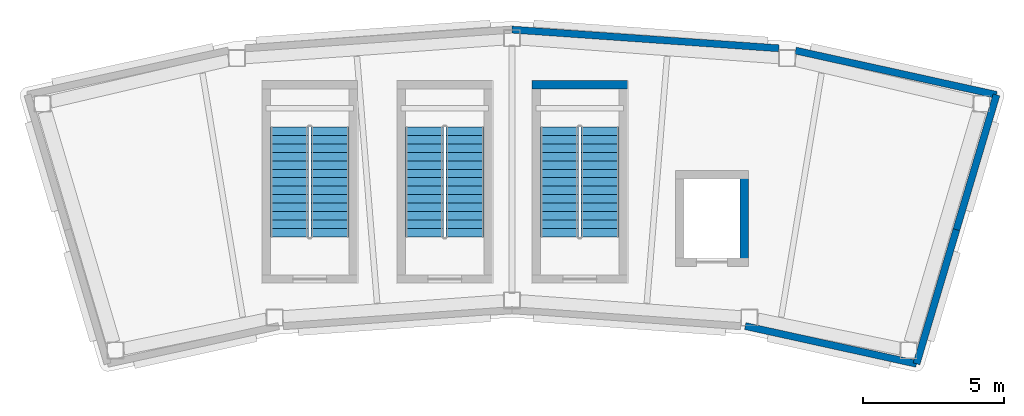
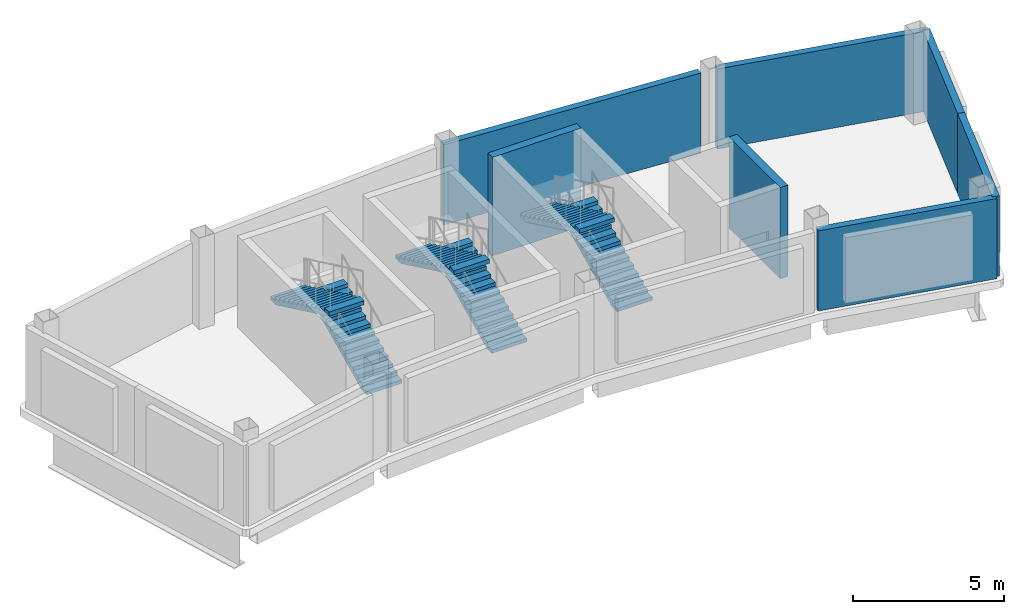
# One storey, part 2 of 3: 7 walls, 6 stair flights, 3 elements without a shape of their own.
"""IFC4 building model written with IfcOpenShell, lengths in metres."""

from ifc_helpers import new_model, si_unit, direction, frame, frame_2d, origin, place, context, subcontext, project, spatial, polyline, rectangle, outline, extrude, material, layer, layer_set, type_object, element, aggregate, save


model = new_model("IFC4")

# Units and contexts
model_context = context("Model", 3, precision=1e-05, world=origin(), true_north=direction((0.0, 1.0)))
body_context = subcontext(model_context, "Body", "Model", "MODEL_VIEW")
ifc_project = project(units=[si_unit("LENGTHUNIT", "METRE"), si_unit("AREAUNIT", "SQUARE_METRE"), si_unit("VOLUMEUNIT", "CUBIC_METRE"), si_unit("PLANEANGLEUNIT", "RADIAN"), si_unit("MASSUNIT", "GRAM", prefix="KILO")], contexts=[model_context])

# Site, building, storey
site_placement = place(None, origin())
site = spatial("IfcSite", under=ifc_project, at=site_placement, CompositionType="ELEMENT")
building_placement = place(site_placement, origin())
building = spatial("IfcBuilding", under=site, at=building_placement, Name="Tuul Gate Civic Tower", CompositionType="ELEMENT")
storey_placement = place(building_placement, frame((0.0, 0.0, 380.10009765625)))
storey = spatial("IfcBuildingStorey", under=building, at=storey_placement, Name="Crown tier 3 upper", CompositionType="ELEMENT", Elevation=380.10009765625)

# Walls
ifc_material_1 = material(Name="Concrete C50/60", Category="concrete")
ifc_layer_1 = layer(ifc_material_1, 0.300048828125)
ifc_layer_set_1 = layer_set([ifc_layer_1], Name="Concrete C50/60")
wall_type_1 = type_object("IfcWallType", Name="Core wall C50/60", PredefinedType="SHEAR", material=ifc_layer_set_1)
wall_1_placement = place(storey_placement, frame((6.300048828125, 6.14990234375, -0.300048828125), z_axis=(0.0, 0.0, 1.0), x_axis=(-1.0, 0.0, 0.0)))
element("IfcWall", 1, at=wall_1_placement, inside=storey, type_object=wall_type_1, Name="Core wall", PredefinedType="SHEAR", context=body_context, shape_type="SweptSolid", body=[
    extrude(rectangle(XDim=3.400146484375, YDim=0.300048828125, at=frame_2d((1.7001953125, 0.0))), origin(), (0.0, 0.0, 1.0), 4.0),
])
wall_2_placement = place(storey_placement, frame((10.449951171875, -0.300048828125, 0.0), z_axis=(0.0, 0.0, 1.0), x_axis=(0.0, 1.0, 0.0)))
element("IfcWall", 2, at=wall_2_placement, inside=storey, type_object=wall_type_1, Name="Core wall", PredefinedType="SHEAR", context=body_context, shape_type="SweptSolid", body=[
    extrude(rectangle(XDim=3.400146484375, YDim=0.300048828125, at=frame_2d((1.7001953125, 0.0))), origin(), (0.0, 0.0, 1.0), 3.699951171875),
])
ifc_material_2 = material(Name="Precast concrete C40/50", Category="concrete")
ifc_layer_2 = layer(ifc_material_2, 0.25)
ifc_layer_set_2 = layer_set([ifc_layer_2], Name="Precast concrete C40/50")
wall_type_2 = type_object("IfcWallType", Name="External wall", PredefinedType="STANDARD", material=ifc_layer_set_2)
wall_3_placement = place(storey_placement, frame((19.417724609375, 5.79541015625, 0.0), z_axis=(0.0, 0.0, 1.0), x_axis=(-0.976550095753, 0.215290293523, 0.0)))
element("IfcWall", 3, at=wall_3_placement, inside=storey, type_object=wall_type_2, Name="External wall", PredefinedType="STANDARD", context=body_context, shape_type="SweptSolid", body=[
    extrude(rectangle(XDim=7.314453125, YDim=0.25, at=frame_2d((3.6572265625, 0.0))), origin(), (0.0, 0.0, 1.0), 3.25),
])
wall_4_placement = place(storey_placement, frame((11.678466796875, 7.450927734375, 0.0), z_axis=(0.0, 0.0, 1.0), x_axis=(-0.997557160611, 0.069854930489, 0.0)))
element("IfcWall", 4, at=wall_4_placement, inside=storey, type_object=wall_type_2, Name="External wall", PredefinedType="STANDARD", context=body_context, shape_type="SweptSolid", body=[
    extrude(rectangle(XDim=9.509765625, YDim=0.25, at=frame_2d((4.7548828125, 0.0))), origin(), (0.0, 0.0, 1.0), 3.25),
])
wall_5_placement = place(storey_placement, frame((10.484375, -2.424072265625, 0.0), z_axis=(0.0, 0.0, 1.0), x_axis=(0.976566998228, -0.215213610099, 0.0)))
element("IfcWall", 5, at=wall_5_placement, inside=storey, type_object=wall_type_2, Name="External wall", PredefinedType="STANDARD", context=body_context, shape_type="SweptSolid", body=[
    extrude(rectangle(XDim=6.234619140625, YDim=0.25, at=frame_2d((3.1171875, 0.0))), origin(), (0.0, 0.0, 1.0), 3.25),
])
wall_6_placement = place(storey_placement, frame((16.572998046875, -3.765869140625, 0.0), z_axis=(0.0, 0.0, 1.0), x_axis=(0.285159141508, 0.958480184466, 0.0)))
element("IfcWall", 6, at=wall_6_placement, inside=storey, type_object=wall_type_2, Name="External wall", PredefinedType="STANDARD", context=body_context, shape_type="SweptSolid", body=[
    extrude(rectangle(XDim=4.97509765625, YDim=0.25, at=frame_2d((2.487548828125, 0.0))), origin(), (0.0, 0.0, 1.0), 3.25),
])
wall_7_placement = place(storey_placement, frame((17.99169921875, 1.002685546875, 0.0), z_axis=(0.0, 0.0, 1.0), x_axis=(0.285183646832, 0.958472893503, 0.0)))
element("IfcWall", 7, at=wall_7_placement, inside=storey, type_object=wall_type_2, Name="External wall", PredefinedType="STANDARD", context=body_context, shape_type="SweptSolid", body=[
    extrude(rectangle(XDim=5.00048828125, YDim=0.25, at=frame_2d((2.500244140625, 0.0))), origin(), (0.0, 0.0, 1.0), 3.25),
])

# Stair, stair flights
ifc_material_3 = material(Name="Concrete C40/50", Category="concrete")
stair_type = type_object("IfcStairType", Name="Exit stair", PredefinedType="HALF_TURN_STAIR", material=ifc_material_3)
stair_1_placement = place(storey_placement, origin())
stair_1 = element("IfcStair", 8, at=stair_1_placement, inside=storey, type_object=stair_type, Name="Crown tier 3 upper ST-5", PredefinedType="HALF_TURN_STAIR")
ifc_material_4 = material(Name="Concrete C40/50", Category="concrete")
stair_flight_type = type_object("IfcStairFlightType", Name="Exit stair flight", PredefinedType="STRAIGHT", material=ifc_material_4)
stair_flight_1_placement = place(storey_placement, frame((-4.27490234375, 0.75, 0.0), z_axis=(0.0, 0.0, 1.0), x_axis=(0.0, 1.0, 0.0)))
stair_flight_1 = element("IfcStairFlight", 9, at=stair_flight_1_placement, type_object=stair_flight_type, Name="ST-5 flight 1", NumberOfRisers=14, NumberOfTreads=13, PredefinedType="STRAIGHT", RiserHeight=0.142857143, TreadLength=0.3, context=body_context, shape_type="SweptSolid", body=[
    extrude(outline(polyline([(0.0, 0.0), (0.0, 0.142822265625), (0.300048828125, 0.142822265625), (0.300048828125, 0.28564453125), (0.60009765625, 0.28564453125), (0.60009765625, 0.428466796875), (0.89990234375, 0.428466796875), (0.89990234375, 0.571533203125), (1.199951171875, 0.571533203125), (1.199951171875, 0.71435546875), (1.5, 0.71435546875), (1.5, 0.857177734375), (1.800048828125, 0.857177734375), (1.800048828125, 1.0), (2.10009765625, 1.0), (2.10009765625, 1.142822265625), (2.39990234375, 1.142822265625), (2.39990234375, 1.28564453125), (2.699951171875, 1.28564453125), (2.699951171875, 1.428466796875), (3.0, 1.428466796875), (3.0, 1.571533203125), (3.300048828125, 1.571533203125), (3.300048828125, 1.71435546875), (3.60009765625, 1.71435546875), (3.60009765625, 1.857177734375), (3.89990234375, 1.857177734375), (3.89990234375, 2.0), (3.89990234375, 1.691162109375), (0.3486328125, 0.0), (0.0, 0.0)])), frame((0.0, 0.675048828125, 0.0), z_axis=(0.0, -1.0, 0.0), x_axis=(1.0, 0.0, 0.0)), (0.0, 0.0, 1.0), 1.35009765625),
])
stair_flight_2_placement = place(storey_placement, frame((-5.72509765625, 4.64990234375, 2.0), z_axis=(0.0, 0.0, 1.0), x_axis=(0.0, -1.0, 0.0)))
stair_flight_2 = element("IfcStairFlight", 10, at=stair_flight_2_placement, type_object=stair_flight_type, Name="ST-5 flight 2", NumberOfRisers=14, NumberOfTreads=13, PredefinedType="STRAIGHT", RiserHeight=0.142857143, TreadLength=0.3, context=body_context, shape_type="SweptSolid", body=[
    extrude(outline(polyline([(0.0, 0.0), (0.0, 0.142822265625), (0.300048828125, 0.142822265625), (0.300048828125, 0.28564453125), (0.60009765625, 0.28564453125), (0.60009765625, 0.428466796875), (0.89990234375, 0.428466796875), (0.89990234375, 0.571533203125), (1.199951171875, 0.571533203125), (1.199951171875, 0.71435546875), (1.5, 0.71435546875), (1.5, 0.857177734375), (1.800048828125, 0.857177734375), (1.800048828125, 1.0), (2.10009765625, 1.0), (2.10009765625, 1.142822265625), (2.39990234375, 1.142822265625), (2.39990234375, 1.28564453125), (2.699951171875, 1.28564453125), (2.699951171875, 1.428466796875), (3.0, 1.428466796875), (3.0, 1.571533203125), (3.300048828125, 1.571533203125), (3.300048828125, 1.71435546875), (3.60009765625, 1.71435546875), (3.60009765625, 1.857177734375), (3.89990234375, 1.857177734375), (3.89990234375, 2.0), (3.89990234375, 1.691162109375), (0.3486328125, 0.0), (0.0, 0.0)])), frame((0.0, 0.675048828125, 0.0), z_axis=(0.0, -1.0, 0.0), x_axis=(1.0, 0.0, 0.0)), (0.0, 0.0, 1.0), 1.35009765625),
])
aggregate(stair_1, [stair_flight_1, stair_flight_2])

stair_2_placement = place(storey_placement, origin())
stair_2 = element("IfcStair", 11, at=stair_2_placement, inside=storey, type_object=stair_type, Name="Crown tier 3 upper ST-6", PredefinedType="HALF_TURN_STAIR")
stair_flight_3_placement = place(storey_placement, frame((0.52490234375, 0.75, 0.0), z_axis=(0.0, 0.0, 1.0), x_axis=(0.0, 1.0, 0.0)))
stair_flight_3 = element("IfcStairFlight", 12, at=stair_flight_3_placement, type_object=stair_flight_type, Name="ST-6 flight 1", NumberOfRisers=14, NumberOfTreads=13, PredefinedType="STRAIGHT", RiserHeight=0.142857143, TreadLength=0.3, context=body_context, shape_type="SweptSolid", body=[
    extrude(outline(polyline([(0.0, 0.0), (0.0, 0.142822265625), (0.300048828125, 0.142822265625), (0.300048828125, 0.28564453125), (0.60009765625, 0.28564453125), (0.60009765625, 0.428466796875), (0.89990234375, 0.428466796875), (0.89990234375, 0.571533203125), (1.199951171875, 0.571533203125), (1.199951171875, 0.71435546875), (1.5, 0.71435546875), (1.5, 0.857177734375), (1.800048828125, 0.857177734375), (1.800048828125, 1.0), (2.10009765625, 1.0), (2.10009765625, 1.142822265625), (2.39990234375, 1.142822265625), (2.39990234375, 1.28564453125), (2.699951171875, 1.28564453125), (2.699951171875, 1.428466796875), (3.0, 1.428466796875), (3.0, 1.571533203125), (3.300048828125, 1.571533203125), (3.300048828125, 1.71435546875), (3.60009765625, 1.71435546875), (3.60009765625, 1.857177734375), (3.89990234375, 1.857177734375), (3.89990234375, 2.0), (3.89990234375, 1.691162109375), (0.3486328125, 0.0), (0.0, 0.0)])), frame((0.0, 0.675048828125, 0.0), z_axis=(0.0, -1.0, 0.0), x_axis=(1.0, 0.0, 0.0)), (0.0, 0.0, 1.0), 1.35009765625),
])
stair_flight_4_placement = place(storey_placement, frame((-0.925048828125, 4.64990234375, 2.0), z_axis=(0.0, 0.0, 1.0), x_axis=(0.0, -1.0, 0.0)))
stair_flight_4 = element("IfcStairFlight", 13, at=stair_flight_4_placement, type_object=stair_flight_type, Name="ST-6 flight 2", NumberOfRisers=14, NumberOfTreads=13, PredefinedType="STRAIGHT", RiserHeight=0.142857143, TreadLength=0.3, context=body_context, shape_type="SweptSolid", body=[
    extrude(outline(polyline([(0.0, 0.0), (0.0, 0.142822265625), (0.300048828125, 0.142822265625), (0.300048828125, 0.28564453125), (0.60009765625, 0.28564453125), (0.60009765625, 0.428466796875), (0.89990234375, 0.428466796875), (0.89990234375, 0.571533203125), (1.199951171875, 0.571533203125), (1.199951171875, 0.71435546875), (1.5, 0.71435546875), (1.5, 0.857177734375), (1.800048828125, 0.857177734375), (1.800048828125, 1.0), (2.10009765625, 1.0), (2.10009765625, 1.142822265625), (2.39990234375, 1.142822265625), (2.39990234375, 1.28564453125), (2.699951171875, 1.28564453125), (2.699951171875, 1.428466796875), (3.0, 1.428466796875), (3.0, 1.571533203125), (3.300048828125, 1.571533203125), (3.300048828125, 1.71435546875), (3.60009765625, 1.71435546875), (3.60009765625, 1.857177734375), (3.89990234375, 1.857177734375), (3.89990234375, 2.0), (3.89990234375, 1.691162109375), (0.3486328125, 0.0), (0.0, 0.0)])), frame((0.0, 0.675048828125, 0.0), z_axis=(0.0, -1.0, 0.0), x_axis=(1.0, 0.0, 0.0)), (0.0, 0.0, 1.0), 1.35009765625),
])
aggregate(stair_2, [stair_flight_3, stair_flight_4])

stair_3_placement = place(storey_placement, origin())
stair_3 = element("IfcStair", 14, at=stair_3_placement, inside=storey, type_object=stair_type, Name="Crown tier 3 upper ST-7", PredefinedType="HALF_TURN_STAIR")
stair_flight_5_placement = place(storey_placement, frame((5.324951171875, 0.75, 0.0), z_axis=(0.0, 0.0, 1.0), x_axis=(0.0, 1.0, 0.0)))
stair_flight_5 = element("IfcStairFlight", 15, at=stair_flight_5_placement, type_object=stair_flight_type, Name="ST-7 flight 1", NumberOfRisers=14, NumberOfTreads=13, PredefinedType="STRAIGHT", RiserHeight=0.142857143, TreadLength=0.3, context=body_context, shape_type="SweptSolid", body=[
    extrude(outline(polyline([(0.0, 0.0), (0.0, 0.142822265625), (0.300048828125, 0.142822265625), (0.300048828125, 0.28564453125), (0.60009765625, 0.28564453125), (0.60009765625, 0.428466796875), (0.89990234375, 0.428466796875), (0.89990234375, 0.571533203125), (1.199951171875, 0.571533203125), (1.199951171875, 0.71435546875), (1.5, 0.71435546875), (1.5, 0.857177734375), (1.800048828125, 0.857177734375), (1.800048828125, 1.0), (2.10009765625, 1.0), (2.10009765625, 1.142822265625), (2.39990234375, 1.142822265625), (2.39990234375, 1.28564453125), (2.699951171875, 1.28564453125), (2.699951171875, 1.428466796875), (3.0, 1.428466796875), (3.0, 1.571533203125), (3.300048828125, 1.571533203125), (3.300048828125, 1.71435546875), (3.60009765625, 1.71435546875), (3.60009765625, 1.857177734375), (3.89990234375, 1.857177734375), (3.89990234375, 2.0), (3.89990234375, 1.691162109375), (0.3486328125, 0.0), (0.0, 0.0)])), frame((0.0, 0.675048828125, 0.0), z_axis=(0.0, -1.0, 0.0), x_axis=(1.0, 0.0, 0.0)), (0.0, 0.0, 1.0), 1.35009765625),
])
stair_flight_6_placement = place(storey_placement, frame((3.875, 4.64990234375, 2.0), z_axis=(0.0, 0.0, 1.0), x_axis=(0.0, -1.0, 0.0)))
stair_flight_6 = element("IfcStairFlight", 16, at=stair_flight_6_placement, type_object=stair_flight_type, Name="ST-7 flight 2", NumberOfRisers=14, NumberOfTreads=13, PredefinedType="STRAIGHT", RiserHeight=0.142857143, TreadLength=0.3, context=body_context, shape_type="SweptSolid", body=[
    extrude(outline(polyline([(0.0, 0.0), (0.0, 0.142822265625), (0.300048828125, 0.142822265625), (0.300048828125, 0.28564453125), (0.60009765625, 0.28564453125), (0.60009765625, 0.428466796875), (0.89990234375, 0.428466796875), (0.89990234375, 0.571533203125), (1.199951171875, 0.571533203125), (1.199951171875, 0.71435546875), (1.5, 0.71435546875), (1.5, 0.857177734375), (1.800048828125, 0.857177734375), (1.800048828125, 1.0), (2.10009765625, 1.0), (2.10009765625, 1.142822265625), (2.39990234375, 1.142822265625), (2.39990234375, 1.28564453125), (2.699951171875, 1.28564453125), (2.699951171875, 1.428466796875), (3.0, 1.428466796875), (3.0, 1.571533203125), (3.300048828125, 1.571533203125), (3.300048828125, 1.71435546875), (3.60009765625, 1.71435546875), (3.60009765625, 1.857177734375), (3.89990234375, 1.857177734375), (3.89990234375, 2.0), (3.89990234375, 1.691162109375), (0.3486328125, 0.0), (0.0, 0.0)])), frame((0.0, 0.675048828125, 0.0), z_axis=(0.0, -1.0, 0.0), x_axis=(1.0, 0.0, 0.0)), (0.0, 0.0, 1.0), 1.35009765625),
])
aggregate(stair_3, [stair_flight_5, stair_flight_6])

save(model, "model.ifc")
